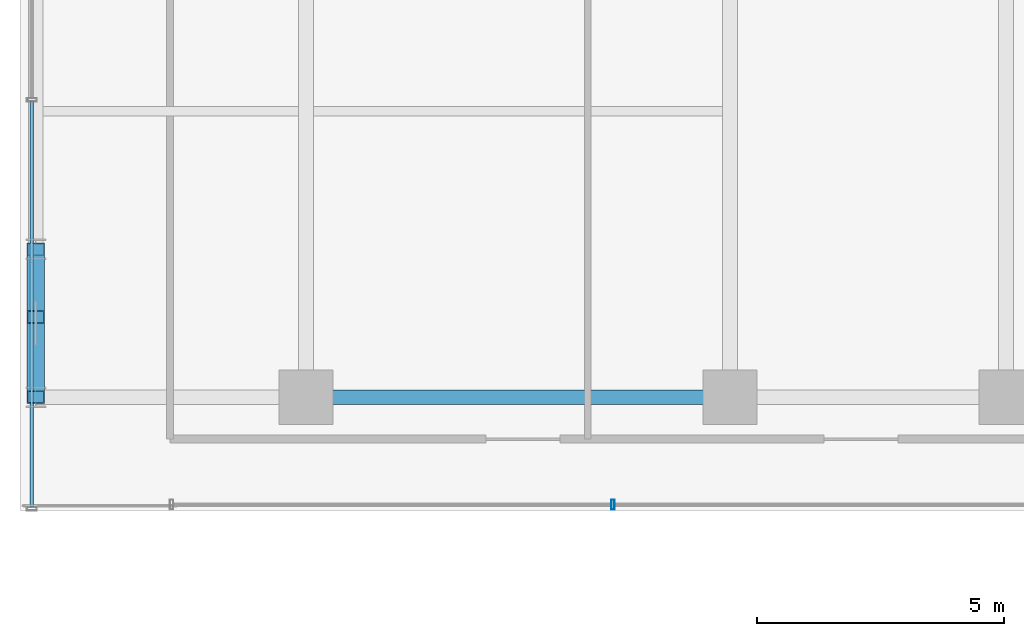
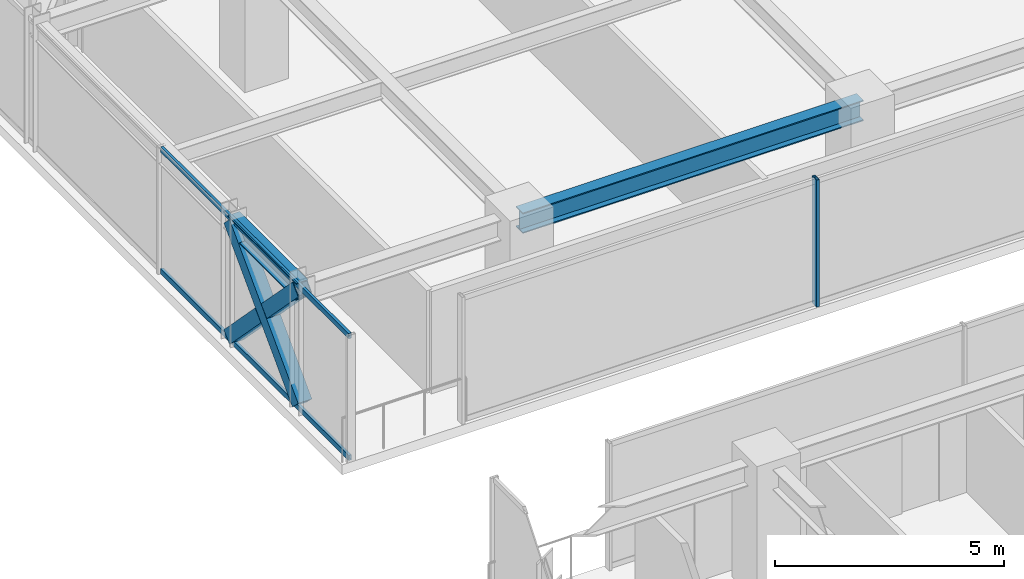
# One storey, part 9 of 36: 6 members, 2 beams, 2 elements without a shape of their own.
"""IFC4 building model written with IfcOpenShell, lengths in metres."""

from ifc_helpers import new_model, si_unit, direction, frame, origin, origin_2d, place, context, subcontext, project, spatial, hollow_rectangle, i_section, extrude, source, transform, mapped, material, material_profile, profile_set, type_object, element, aggregate, save


model = new_model("IFC4")

# Units and contexts
model_context = context("Model", 3, precision=1e-05, world=origin(), true_north=direction((0.0, 1.0)))
body_context = subcontext(model_context, "Body", "Model", "MODEL_VIEW")
ifc_project = project(units=[si_unit("LENGTHUNIT", "METRE"), si_unit("AREAUNIT", "SQUARE_METRE"), si_unit("VOLUMEUNIT", "CUBIC_METRE"), si_unit("PLANEANGLEUNIT", "RADIAN"), si_unit("MASSUNIT", "GRAM", prefix="KILO")], contexts=[model_context])

# Site, building, storey
site_placement = place(None, origin())
site = spatial("IfcSite", under=ifc_project, at=site_placement, CompositionType="ELEMENT")
building_placement = place(site_placement, origin())
building = spatial("IfcBuilding", under=site, at=building_placement, Name="Nahalor Promenade Grand Hotel", CompositionType="ELEMENT")
storey_placement = place(building_placement, frame((0.0, 0.0, 174.550048828125)))
storey = spatial("IfcBuildingStorey", under=building, at=storey_placement, Name="L44", CompositionType="ELEMENT", Elevation=174.550048828125)

# Beams
ifc_material_1 = material(Name="Steel S355JR", Category="steel")
ifc_material_profile_1 = material_profile(ifc_material_1, i_section(OverallWidth=0.3, OverallDepth=0.55, WebThickness=0.015, FlangeThickness=0.029, at=origin_2d()), Name="HEB 550")
ifc_profile_set_1 = profile_set([ifc_material_profile_1], Name="Steel S355JR")
beam_type_1 = type_object("IfcBeamType", Name="Beam-Girder-HEB550", PredefinedType="BEAM", material=ifc_profile_set_1)
shared_shape_1 = source(origin(), body_context, "Body", "SweptSolid", [
    extrude(i_section(OverallWidth=0.3, OverallDepth=0.55, WebThickness=0.015, FlangeThickness=0.029, at=origin_2d()), origin(), (0.0, 0.0, 1.0), 8.60009765625),
])
beam_1_placement = place(storey_placement, frame((-17.0, 5.39990234375, 3.114990234375), z_axis=(1.0, 0.0, 0.0), x_axis=(0.0, 1.0, 0.0)))
element("IfcBeam", 1, at=beam_1_placement, inside=storey, type_object=beam_type_1, Name="BM-L44-GX-2-1", PredefinedType="BEAM", context=body_context, shape_type="MappedRepresentation", body=[
    mapped(shared_shape_1, transform((0.0, 0.0, 0.0), scale=1.0)),
])
ifc_material_profile_2 = material_profile(ifc_material_1, i_section(OverallWidth=0.3, OverallDepth=0.45, WebThickness=0.014, FlangeThickness=0.026, at=origin_2d()), Name="HEB 450")
ifc_profile_set_2 = profile_set([ifc_material_profile_2], Name="Steel S355JR")
beam_type_2 = type_object("IfcBeamType", Name="Beam-Spandrel-HEB450", PredefinedType="SPANDREL", material=ifc_profile_set_2)
shared_shape_2 = source(origin(), body_context, "Body", "SweptSolid", [
    extrude(i_section(OverallWidth=0.3, OverallDepth=0.45, WebThickness=0.014, FlangeThickness=0.026, at=origin_2d()), origin(), (0.0, 0.0, 1.0), 3.0),
])
beam_2_placement = place(storey_placement, frame((-22.47998046875, 5.39990234375, 3.1650390625), z_axis=(0.0, 1.0, 0.0), x_axis=(-1.0, 0.0, 0.0)))
element("IfcBeam", 2, at=beam_2_placement, inside=storey, type_object=beam_type_2, Name="BM-L44-SP-W-3", PredefinedType="SPANDREL", context=body_context, shape_type="MappedRepresentation", body=[
    mapped(shared_shape_2, transform((0.0, 0.0, 0.0), scale=1.0)),
])

# Members
ifc_material_profile_3 = material_profile(ifc_material_1, hollow_rectangle(XDim=0.35, YDim=0.35, WallThickness=0.02, at=origin_2d()), Name="SHS 350x350x20")
ifc_profile_set_3 = profile_set([ifc_material_profile_3], Name="Steel S355JR")
member_type_1 = type_object("IfcMemberType", Name="Mem-VoidBrace-SHS350", PredefinedType="BRACE", material=ifc_profile_set_3)
shared_shape_3 = source(origin(), body_context, "Body", "SweptSolid", [
    extrude(hollow_rectangle(XDim=0.35, YDim=0.35, WallThickness=0.02, at=origin_2d()), origin(), (0.0, 0.0, 1.0), 1.96630859375),
])
member_1_placement = place(storey_placement, frame((-22.47998046875, 8.39990234375, 0.14990234375), z_axis=(0.0, -0.696537426897, 0.717520461682), x_axis=(1.0, 0.0, 0.0)))
element("IfcMember", 3, at=member_1_placement, inside=storey, type_object=member_type_1, Name="EXO-L44-VX2-W1A", PredefinedType="BRACE", context=body_context, shape_type="MappedRepresentation", body=[
    mapped(shared_shape_3, transform((0.0, 0.0, 0.0), scale=1.0)),
])
shared_shape_4 = source(origin(), body_context, "Body", "SweptSolid", [
    extrude(hollow_rectangle(XDim=0.35, YDim=0.35, WallThickness=0.02, at=origin_2d()), origin(), (0.0, 0.0, 1.0), 4.306884765625),
])
member_2_placement = place(storey_placement, frame((-22.47998046875, 5.39990234375, 0.14990234375), z_axis=(0.0, 0.696570665899, 0.717488193219), x_axis=(-1.0, 0.0, 0.0)))
element("IfcMember", 4, at=member_2_placement, inside=storey, type_object=member_type_1, Name="EXO-L44-VX1-W1", PredefinedType="BRACE", context=body_context, shape_type="MappedRepresentation", body=[
    mapped(shared_shape_4, transform((0.0, 0.0, 0.0), scale=1.0)),
])
shared_shape_5 = source(origin(), body_context, "Body", "SweptSolid", [
    extrude(hollow_rectangle(XDim=0.35, YDim=0.35, WallThickness=0.02, at=origin_2d()), origin(), (0.0, 0.0, 1.0), 1.966552734375),
])
member_3_placement = place(storey_placement, frame((-22.47998046875, 6.769775390625, 1.8291015625), z_axis=(0.0, -0.696601340579, 0.71745841155), x_axis=(1.0, 0.0, 0.0)))
element("IfcMember", 5, at=member_3_placement, inside=storey, type_object=member_type_1, Name="EXO-L44-VX2-W1B", PredefinedType="BRACE", context=body_context, shape_type="MappedRepresentation", body=[
    mapped(shared_shape_5, transform((0.0, 0.0, 0.0), scale=1.0)),
])

# Curtain wall, member
ifc_material_2 = material(Name="Anodised Bronze Aluminium EN AW-6063 T6", Category="aluminium")
curtain_wall_type = type_object("IfcCurtainWallType", Name="CW3 Elliptical-Void Collar Unitised Curtain Wall", PredefinedType="USERDEFINED", material=ifc_material_2)
curtain_wall_1_placement = place(storey_placement, origin())
curtain_wall_1 = element("IfcCurtainWall", 6, at=curtain_wall_1_placement, inside=storey, type_object=curtain_wall_type, Name="L44 Curtain Wall CW-L44-VOID-WN1", ObjectType="UNITISED_CURTAIN_WALL", PredefinedType="USERDEFINED")
ifc_material_profile_4 = material_profile(ifc_material_2, hollow_rectangle(XDim=0.07, YDim=0.2, WallThickness=0.005, at=origin_2d()), Name="CWM 70x200x5")
ifc_profile_set_4 = profile_set([ifc_material_profile_4], Name="Anodised Bronze Aluminium EN AW-6063 T6")
member_type_2 = type_object("IfcMemberType", Name="CWM3 Void Collar Mullion 70x200", PredefinedType="MULLION", material=ifc_profile_set_4)
shared_shape_6 = source(origin(), body_context, "Body", "SweptSolid", [
    extrude(hollow_rectangle(XDim=0.07, YDim=0.2, WallThickness=0.005, at=origin_2d()), origin(), (0.0, 0.0, 1.0), 3.389892578125),
])
member_4_placement = place(storey_placement, frame((-10.7734375, 3.219970703125, 0.0), z_axis=(0.0, 0.0, 1.0), x_axis=(1.0, 0.0, 0.0)))
member_4 = element("IfcMember", 7, at=member_4_placement, type_object=member_type_2, Name="CW-L44-VOID-WN1 Mullion 1", PredefinedType="MULLION", context=body_context, shape_type="MappedRepresentation", body=[
    mapped(shared_shape_6, transform((0.0, 0.0, 0.0), scale=1.0)),
])
aggregate(curtain_wall_1, [member_4])

# Curtain wall, members
curtain_wall_2_placement = place(storey_placement, origin())
curtain_wall_2 = element("IfcCurtainWall", 8, at=curtain_wall_2_placement, inside=storey, type_object=curtain_wall_type, Name="L44 Curtain Wall CW-L44-W-2", ObjectType="UNITISED_CURTAIN_WALL", PredefinedType="USERDEFINED")
ifc_material_profile_5 = material_profile(ifc_material_2, hollow_rectangle(XDim=0.07, YDim=0.14, WallThickness=0.004, at=origin_2d()), Name="CWT 70x140x4")
ifc_profile_set_5 = profile_set([ifc_material_profile_5], Name="Anodised Bronze Aluminium EN AW-6063 T6")
member_type_3 = type_object("IfcMemberType", Name="CWT3 Void Collar Transom 70x140", PredefinedType="USERDEFINED", material=ifc_profile_set_5)
shared_shape_7 = source(origin(), body_context, "Body", "SweptSolid", [
    extrude(hollow_rectangle(XDim=0.07, YDim=0.14, WallThickness=0.004, at=origin_2d()), origin(), (0.0, 0.0, 1.0), 8.22509765625),
])
member_5_placement = place(storey_placement, frame((-22.56005859375, 3.169921875, 0.070068359375), z_axis=(0.0, 1.0, 0.0), x_axis=(-1.0, 0.0, 0.0)))
member_5 = element("IfcMember", 9, at=member_5_placement, type_object=member_type_3, Name="CW-L44-W-2 Transom 0-0", ObjectType="TRANSOM", PredefinedType="USERDEFINED", context=body_context, shape_type="MappedRepresentation", body=[
    mapped(shared_shape_7, transform((0.0, 0.0, 0.0), scale=1.0)),
])
member_6_placement = place(storey_placement, frame((-22.56005859375, 3.169921875, 3.320068359375), z_axis=(0.0, 1.0, 0.0), x_axis=(-1.0, 0.0, 0.0)))
member_6 = element("IfcMember", 10, at=member_6_placement, type_object=member_type_3, Name="CW-L44-W-2 Transom 0-1", ObjectType="TRANSOM", PredefinedType="USERDEFINED", context=body_context, shape_type="MappedRepresentation", body=[
    mapped(shared_shape_7, transform((0.0, 0.0, 0.0), scale=1.0)),
])
aggregate(curtain_wall_2, [member_5, member_6])

save(model, "model.ifc")
